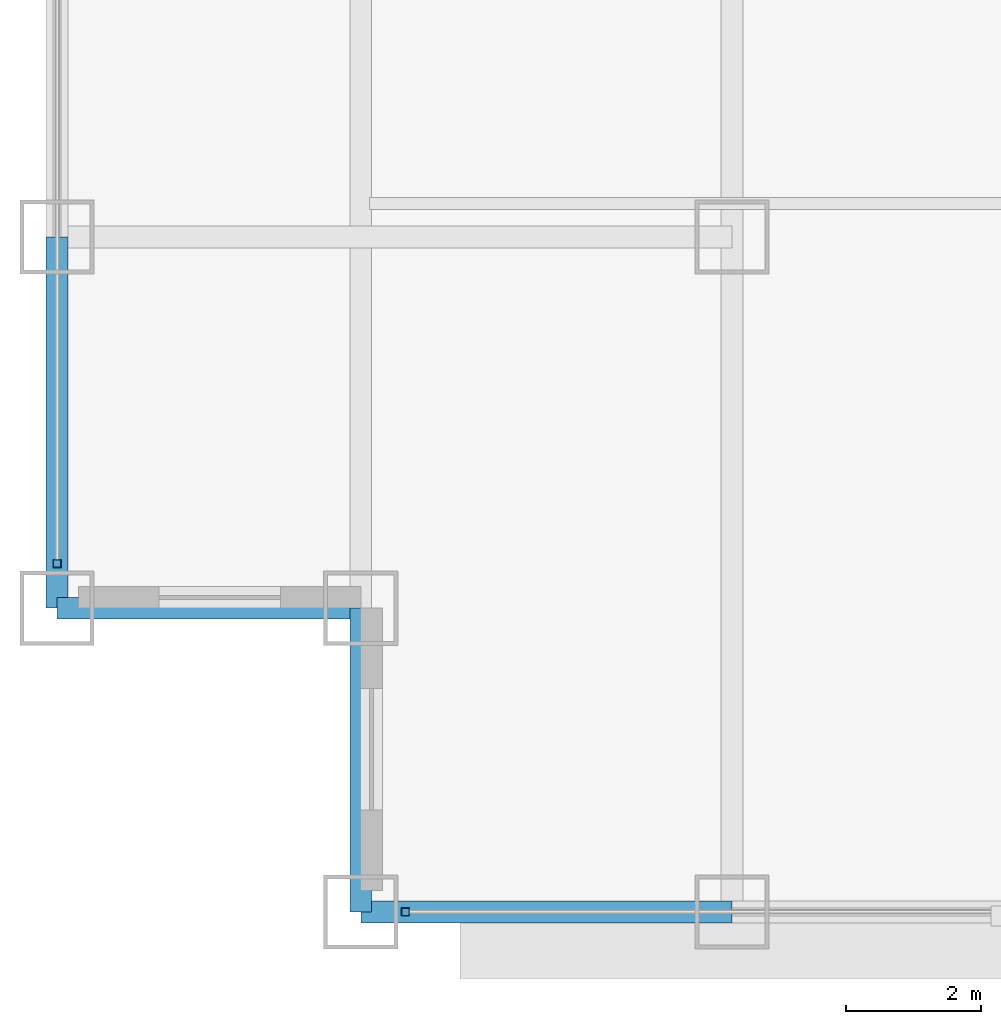
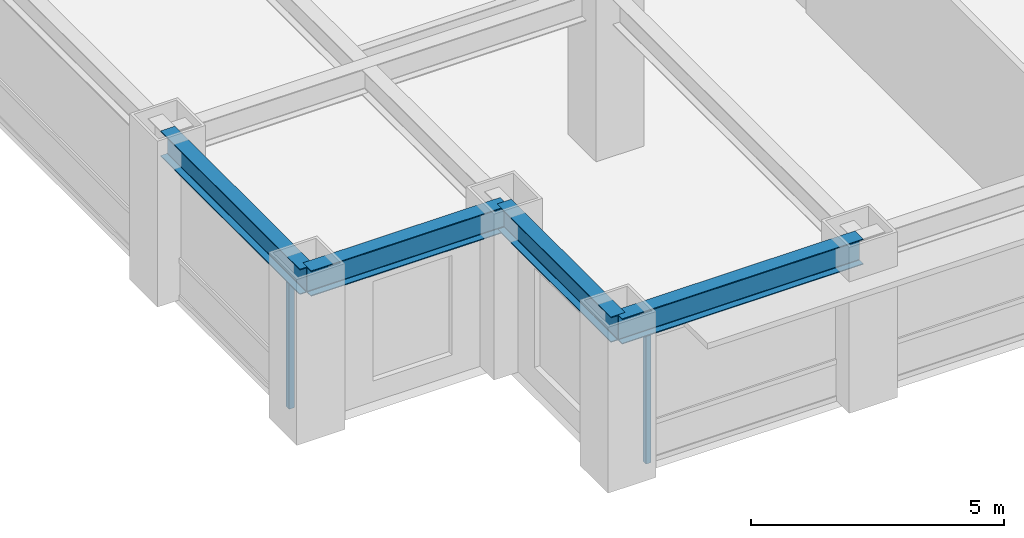
# One storey, part 2 of 28: 4 beams, 2 members, 2 elements without a shape of their own.
"""IFC4 building model written with IfcOpenShell, lengths in metres."""

from ifc_helpers import new_model, si_unit, direction, frame, origin, origin_2d, place, context, subcontext, project, spatial, hollow_rectangle, i_section, extrude, source, transform, mapped, material, material_profile, profile_set, type_object, element, aggregate, save


model = new_model("IFC4")

# Units and contexts
model_context = context("Model", 3, precision=1e-05, world=origin(), true_north=direction((0.0, 1.0)))
body_context = subcontext(model_context, "Body", "Model", "MODEL_VIEW")
ifc_project = project(units=[si_unit("LENGTHUNIT", "METRE"), si_unit("AREAUNIT", "SQUARE_METRE"), si_unit("VOLUMEUNIT", "CUBIC_METRE"), si_unit("PLANEANGLEUNIT", "RADIAN"), si_unit("MASSUNIT", "GRAM", prefix="KILO")], contexts=[model_context])

# Site, building, storey
site_placement = place(None, origin())
site = spatial("IfcSite", under=ifc_project, at=site_placement, CompositionType="ELEMENT")
building_placement = place(site_placement, origin())
building = spatial("IfcBuilding", under=site, at=building_placement, Name="Khorayat Bourse Tower", CompositionType="ELEMENT")
storey_placement = place(building_placement, frame((0.0, 0.0, 191.10009765625)))
storey = spatial("IfcBuildingStorey", under=building, at=storey_placement, Name="L44", CompositionType="ELEMENT", Elevation=191.10009765625)

# Beams
ifc_material_1 = material(Name="Steel ASTM A992 Grade 50", Category="steel")
ifc_material_profile_1 = material_profile(ifc_material_1, i_section(OverallWidth=0.324951171875, OverallDepth=0.615966796875, WebThickness=0.013916015625, FlangeThickness=0.021484375, FilletRadius=0.01611328125, at=origin_2d()), Name="W610X174")
ifc_profile_set_1 = profile_set([ifc_material_profile_1], Name="Steel ASTM A992 Grade 50")
beam_type = type_object("IfcBeamType", Name="BM-SPAN-610", PredefinedType="SPANDREL", material=ifc_profile_set_1)
shared_shape_1 = source(origin(), body_context, "Body", "SweptSolid", [
    extrude(i_section(OverallWidth=0.324951171875, OverallDepth=0.615966796875, WebThickness=0.013916015625, FlangeThickness=0.021484375, FilletRadius=0.01611328125, at=origin_2d()), origin(), (0.0, 0.0, 1.0), 5.5),
])
for number, where, z_axis, x_axis, name in (
    (1, (-25.5, -30.0, 3.471923828125), (1.0, 0.0, 0.0), (0.0, 1.0, 0.0), "L44 BM-SPAN-610 BM-L44-SPN-024"),
    (2, (-30.0, -25.5, 3.471923828125), (0.0, 1.0, 0.0), (-1.0, 0.0, 0.0), "L44 BM-SPAN-610 BM-L44-SPN-061"),
):
    element("IfcBeam", number, at=place(storey_placement, frame(where, z_axis=z_axis, x_axis=x_axis)), inside=storey, type_object=beam_type, Name=name, PredefinedType="SPANDREL", context=body_context, shape_type="MappedRepresentation", body=[
        mapped(shared_shape_1, transform((0.0, 0.0, 0.0), scale=1.0)),
    ])
shared_shape_2 = source(origin(), body_context, "Body", "SweptSolid", [
    extrude(i_section(OverallWidth=0.324951171875, OverallDepth=0.615966796875, WebThickness=0.013916015625, FlangeThickness=0.021484375, FilletRadius=0.01611328125, at=origin_2d()), origin(), (0.0, 0.0, 1.0), 4.5),
])
for number, where, z_axis, x_axis, name in (
    (3, (-30.0, -25.5, 3.471923828125), (1.0, 0.0, 0.0), (0.0, 1.0, 0.0), "L44 BM-SPAN-610 BM-L44-SPN-062"),
    (4, (-25.5, -30.0, 3.471923828125), (0.0, 1.0, 0.0), (-1.0, 0.0, 0.0), "L44 BM-SPAN-610 BM-L44-SPN-063"),
):
    element("IfcBeam", number, at=place(storey_placement, frame(where, z_axis=z_axis, x_axis=x_axis)), inside=storey, type_object=beam_type, Name=name, PredefinedType="SPANDREL", context=body_context, shape_type="MappedRepresentation", body=[
        mapped(shared_shape_2, transform((0.0, 0.0, 0.0), scale=1.0)),
    ])

# Curtain wall, member
ifc_material_2 = material(Name="Aluminium EN AW-6063 T6", Category="aluminium")
curtain_wall_type = type_object("IfcCurtainWallType", Name="CW-SYS-03", PredefinedType="NOTDEFINED", material=ifc_material_2)
curtain_wall_1_placement = place(storey_placement, origin())
curtain_wall_1 = element("IfcCurtainWall", 5, at=curtain_wall_1_placement, inside=storey, type_object=curtain_wall_type, Name="L44 Curtain Wall CW-L44-S1", PredefinedType="NOTDEFINED")
ifc_material_profile_2 = material_profile(ifc_material_2, hollow_rectangle(XDim=0.1201171875, YDim=0.1201171875, WallThickness=0.0048828125, at=origin_2d()), Name="ALU 120x120x5")
ifc_profile_set_2 = profile_set([ifc_material_profile_2], Name="Aluminium EN AW-6063 T6")
member_type = type_object("IfcMemberType", Name="CWM-VERT-120", PredefinedType="MULLION", material=ifc_profile_set_2)
shared_shape_3 = source(origin(), body_context, "Body", "SweptSolid", [
    extrude(hollow_rectangle(XDim=0.1201171875, YDim=0.1201171875, WallThickness=0.0048828125, at=origin_2d()), origin(), (0.0, 0.0, 1.0), 3.1298828125),
])
member_1_placement = place(storey_placement, frame((-24.840087890625, -30.0, 0.0), z_axis=(0.0, 0.0, 1.0), x_axis=(0.0, 1.0, 0.0)))
member_1 = element("IfcMember", 6, at=member_1_placement, type_object=member_type, Name="CW-L44-S1 Vertical Mullion 1", PredefinedType="MULLION", context=body_context, shape_type="MappedRepresentation", body=[
    mapped(shared_shape_3, transform((0.0, 0.0, 0.0), scale=1.0)),
])
aggregate(curtain_wall_1, [member_1])

curtain_wall_2_placement = place(storey_placement, origin())
curtain_wall_2 = element("IfcCurtainWall", 7, at=curtain_wall_2_placement, inside=storey, type_object=curtain_wall_type, Name="L44 Curtain Wall CW-L44-W1", PredefinedType="NOTDEFINED")
member_2_placement = place(storey_placement, frame((-30.0, -24.840087890625, 0.0), z_axis=(0.0, 0.0, 1.0), x_axis=(-1.0, 0.0, 0.0)))
member_2 = element("IfcMember", 8, at=member_2_placement, type_object=member_type, Name="CW-L44-W1 Vertical Mullion 1", PredefinedType="MULLION", context=body_context, shape_type="MappedRepresentation", body=[
    mapped(shared_shape_3, transform((0.0, 0.0, 0.0), scale=1.0)),
])
aggregate(curtain_wall_2, [member_2])

save(model, "model.ifc")
